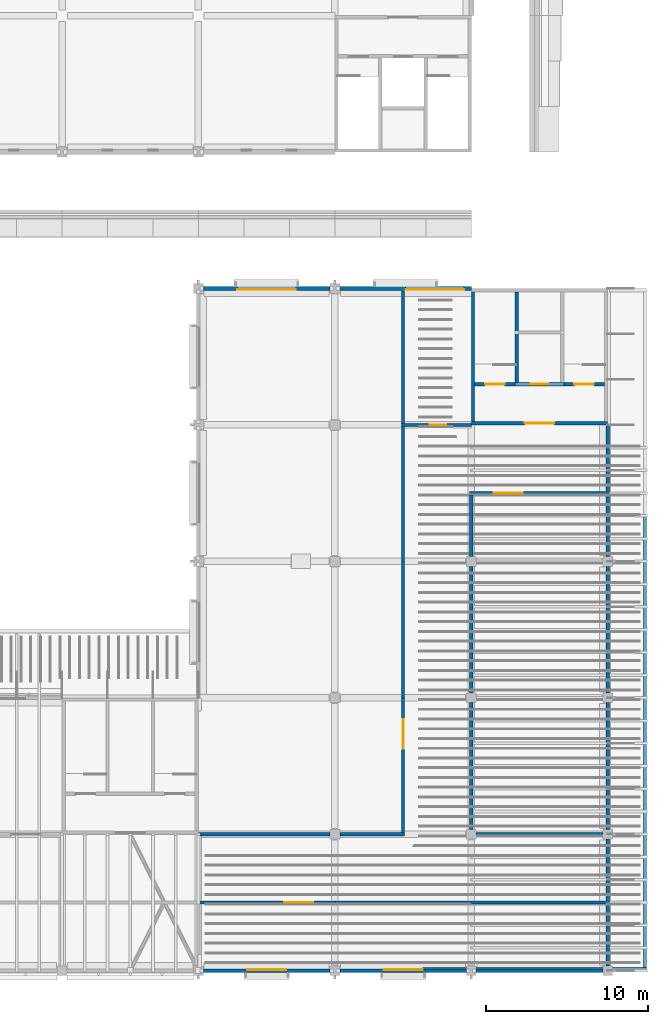
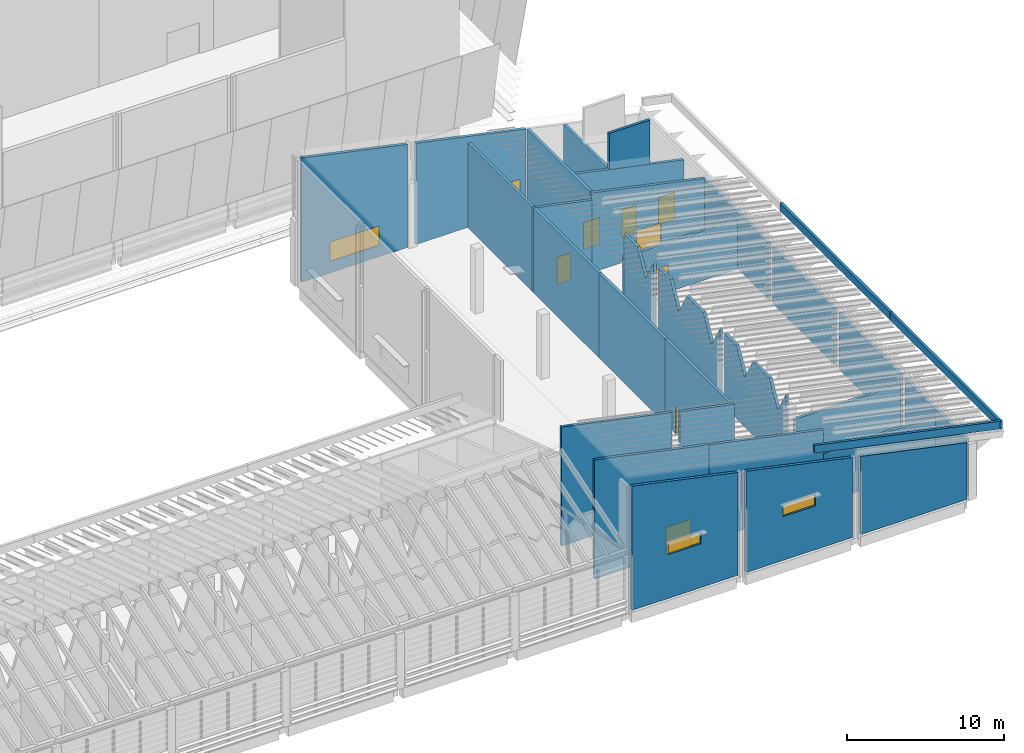
# One storey, part 25 of 59: 32 walls, 8 doors, 4 windows, 12 openings.
"""IFC4 building model written with IfcOpenShell, lengths in metres."""

from ifc_helpers import new_model, si_unit, direction, frame, frame_2d, origin, place, context, subcontext, project, spatial, polyline, rectangle, outline, extrude, material, layer, layer_set, type_object, element, fill, save


model = new_model("IFC4")

# Units and contexts
model_context = context("Model", 3, precision=1e-05, world=origin(), true_north=direction((0.0, 1.0)))
body_context = subcontext(model_context, "Body", "Model", "MODEL_VIEW")
ifc_project = project(units=[si_unit("LENGTHUNIT", "METRE"), si_unit("AREAUNIT", "SQUARE_METRE"), si_unit("VOLUMEUNIT", "CUBIC_METRE"), si_unit("PLANEANGLEUNIT", "RADIAN"), si_unit("MASSUNIT", "GRAM", prefix="KILO")], contexts=[model_context])

# Site, building, storey
site_placement = place(None, origin())
site = spatial("IfcSite", under=ifc_project, at=site_placement, CompositionType="ELEMENT")
building_placement = place(site_placement, origin())
building = spatial("IfcBuilding", under=site, at=building_placement, Name="Almond Square Museum", CompositionType="ELEMENT")
storey_placement = place(building_placement, frame((0.0, 0.0, 25.0)))
storey = spatial("IfcBuildingStorey", under=building, at=storey_placement, Name="L04", CompositionType="ELEMENT", Elevation=25.0)

# Wall
ifc_material_1 = material(Name="Concrete blockwork 200", Category="masonry")
ifc_layer_1 = layer(ifc_material_1, 0.199951171875)
ifc_layer_set_1 = layer_set([ifc_layer_1], Name="Concrete blockwork 200")
wall_type_1 = type_object("IfcWallType", Name="Fire partition 200 blockwork", PredefinedType="PARTITIONING", material=ifc_layer_set_1)
wall_1_placement = place(storey_placement, frame((144.60009765625, 33.699951171875, 0.0), z_axis=(0.0, 0.0, 1.0), x_axis=(0.0, 1.0, 0.0)))
element("IfcWall", 1, at=wall_1_placement, inside=storey, type_object=wall_type_1, Name="L04 partition 24", PredefinedType="PARTITIONING", context=body_context, shape_type="SweptSolid", body=[
    extrude(rectangle(XDim=8.150146484375, YDim=0.199951171875, at=frame_2d((4.0751953125, 0.0))), origin(), (0.0, 0.0, 1.0), 6.577880859375),
])

# Wall, opening, door
wall_2_placement = place(storey_placement, frame((144.5, 33.60009765625, 0.0), z_axis=(0.0, 0.0, 1.0), x_axis=(1.0, 0.0, 0.0)))
wall_2 = element("IfcWall", 2, at=wall_2_placement, inside=storey, type_object=wall_type_1, Name="L04 partition 25", PredefinedType="PARTITIONING", context=body_context, shape_type="SweptSolid", body=[
    extrude(outline(polyline([(0.0, 0.0), (4.300048828125, 0.0), (4.300048828125, 5.717041015625), (4.199951171875, 5.717041015625), (3.14990234375, 5.929931640625), (1.050048828125, 6.3759765625), (0.0, 6.568115234375), (0.0, 0.0)])), frame((0.0, 0.10009765625, 0.0), z_axis=(0.0, -1.0, 0.0), x_axis=(1.0, 0.0, 0.0)), (0.0, 0.0, 1.0), 0.199951171875),
])
opening_1_placement = place(wall_2_placement, frame((1.75, 0.0, 0.0)))
opening_1 = element("IfcOpeningElement", 3, at=opening_1_placement, cuts=wall_2, Name="Opening D4104", PredefinedType="OPENING", context=body_context, shape_type="SweptSolid", body=[
    extrude(rectangle(XDim=1.0, YDim=2.10009765625, at=frame_2d((0.5, 1.050048828125))), frame((0.0, 0.10986328125, 0.0), z_axis=(0.0, -1.0, 0.0), x_axis=(1.0, 0.0, 0.0)), (0.0, 0.0, 1.0), 0.219970703125),
])
ifc_material_2 = material(Name="Steel", Category="steel")
door_type_1 = type_object("IfcDoorType", Name="Fire door 1000 x 2100 FD60 single", OperationType="NOTDEFINED", PredefinedType="DOOR", material=ifc_material_2)
door_1_placement = place(opening_1_placement, origin())
door_1 = element("IfcDoor", 4, at=door_1_placement, inside=storey, type_object=door_type_1, Name="L04 door Cleaners' Store 1 to Service Corridor 1", OperationType="SINGLE_SWING_RIGHT", OverallHeight=2.10009765625, OverallWidth=1.0, PredefinedType="DOOR", context=body_context, shape_type="SweptSolid", body=[
    extrude(rectangle(XDim=1.0, YDim=2.10009765625, at=frame_2d((0.5, 1.050048828125))), frame((0.0, 0.02490234375, 0.0), z_axis=(0.0, -1.0, 0.0), x_axis=(1.0, 0.0, 0.0)), (0.0, 0.0, 1.0), 0.050048828125),
])
fill(opening_1, door_1)

wall_3_placement = place(storey_placement, frame((144.60009765625, 8.5, 0.0), z_axis=(0.0, 0.0, 1.0), x_axis=(0.0, 1.0, 0.0)))
wall_3 = element("IfcWall", 5, at=wall_3_placement, inside=storey, type_object=wall_type_1, Name="L04 partition 26", PredefinedType="PARTITIONING", context=body_context, shape_type="SweptSolid", body=[
    extrude(rectangle(XDim=8.300048828125, YDim=0.199951171875, at=frame_2d((4.14990234375, 0.0))), origin(), (0.0, 0.0, 1.0), 6.577880859375),
])
opening_2_placement = place(wall_3_placement, frame((5.175048828125, 0.0, 0.0)))
opening_2 = element("IfcOpeningElement", 6, at=opening_2_placement, cuts=wall_3, Name="Opening D4105", PredefinedType="OPENING", context=body_context, shape_type="SweptSolid", body=[
    extrude(rectangle(XDim=1.800048828125, YDim=2.10009765625, at=frame_2d((0.89990234375, 1.050048828125))), frame((0.0, 0.10986328125, 0.0), z_axis=(0.0, -1.0, 0.0), x_axis=(1.0, 0.0, 0.0)), (0.0, 0.0, 1.0), 0.219970703125),
])
ifc_material_3 = material(Name="Steel", Category="steel")
door_type_2 = type_object("IfcDoorType", Name="Fire door 1800 x 2100 FD60 double", OperationType="NOTDEFINED", PredefinedType="DOOR", material=ifc_material_3)
door_2_placement = place(opening_2_placement, origin())
door_2 = element("IfcDoor", 7, at=door_2_placement, inside=storey, type_object=door_type_2, Name="L04 door Plant Room 1 to Service Corridor 1", OperationType="DOUBLE_DOOR_SINGLE_SWING", OverallHeight=2.10009765625, OverallWidth=1.800048828125, PredefinedType="DOOR", context=body_context, shape_type="SweptSolid", body=[
    extrude(rectangle(XDim=1.800048828125, YDim=2.10009765625, at=frame_2d((0.89990234375, 1.050048828125))), frame((0.0, 0.02490234375, 0.0), z_axis=(0.0, -1.0, 0.0), x_axis=(1.0, 0.0, 0.0)), (0.0, 0.0, 1.0), 0.050048828125),
])
fill(opening_2, door_2)

# Walls
wall_4_placement = place(storey_placement, frame((144.60009765625, 16.800048828125, 0.0), z_axis=(0.0, 0.0, 1.0), x_axis=(0.0, 1.0, 0.0)))
element("IfcWall", 8, at=wall_4_placement, inside=storey, type_object=wall_type_1, Name="L04 partition 27", PredefinedType="PARTITIONING", context=body_context, shape_type="SweptSolid", body=[
    extrude(rectangle(XDim=8.39990234375, YDim=0.199951171875, at=frame_2d((4.199951171875, 0.0))), origin(), (0.0, 0.0, 1.0), 6.577880859375),
])
wall_5_placement = place(storey_placement, frame((144.60009765625, 25.199951171875, 0.0), z_axis=(0.0, 0.0, 1.0), x_axis=(0.0, 1.0, 0.0)))
element("IfcWall", 9, at=wall_5_placement, inside=storey, type_object=wall_type_1, Name="L04 partition 28", PredefinedType="PARTITIONING", context=body_context, shape_type="SweptSolid", body=[
    extrude(rectangle(XDim=8.300048828125, YDim=0.199951171875, at=frame_2d((4.14990234375, 0.0))), origin(), (0.0, 0.0, 1.0), 6.577880859375),
])
wall_6_placement = place(storey_placement, frame((132.0, 8.39990234375, 0.0), z_axis=(0.0, 0.0, 1.0), x_axis=(1.0, 0.0, 0.0)))
element("IfcWall", 10, at=wall_6_placement, inside=storey, type_object=wall_type_1, Name="L04 partition 29", PredefinedType="PARTITIONING", context=body_context, shape_type="SweptSolid", body=[
    extrude(outline(polyline([(0.0, 0.0), (8.10009765625, 0.0), (8.10009765625, 7.56689453125), (7.35009765625, 7.694091796875), (6.300048828125, 7.9169921875), (5.25, 8.14111328125), (1.050048828125, 9.032958984375), (0.0, 9.22509765625), (0.0, 0.0)])), frame((0.0, 0.10009765625, 0.0), z_axis=(0.0, -1.0, 0.0), x_axis=(1.0, 0.0, 0.0)), (0.0, 0.0, 1.0), 0.199951171875),
])
wall_7_placement = place(storey_placement, frame((140.699951171875, 8.39990234375, 0.0), z_axis=(0.0, 0.0, 1.0), x_axis=(1.0, 0.0, 0.0)))
element("IfcWall", 11, at=wall_7_placement, inside=storey, type_object=wall_type_1, Name="L04 partition 30", PredefinedType="PARTITIONING", context=body_context, shape_type="SweptSolid", body=[
    extrude(outline(polyline([(0.0, 0.0), (4.0, 0.0), (4.0, 6.589111328125), (3.14990234375, 6.738037109375), (1.050048828125, 7.18408203125), (0.0, 7.375), (0.0, 0.0)])), frame((0.0, 0.10009765625, 0.0), z_axis=(0.0, -1.0, 0.0), x_axis=(1.0, 0.0, 0.0)), (0.0, 0.0, 1.0), 0.199951171875),
])

# Wall, opening, door
wall_8_placement = place(storey_placement, frame((148.699951171875, 29.39990234375, 0.0), z_axis=(0.0, 0.0, 1.0), x_axis=(1.0, 0.0, 0.0)))
wall_8 = element("IfcWall", 12, at=wall_8_placement, inside=storey, type_object=wall_type_1, Name="L04 partition 33", PredefinedType="PARTITIONING", context=body_context, shape_type="SweptSolid", body=[
    extrude(rectangle(XDim=8.35009765625, YDim=0.199951171875, at=frame_2d((4.175048828125, 0.0))), origin(), (0.0, 0.0, 1.0), 3.842041015625),
])
opening_3_placement = place(wall_8_placement, frame((1.47509765625, 0.0, 0.0)))
opening_3 = element("IfcOpeningElement", 13, at=opening_3_placement, cuts=wall_8, Name="Opening D4107", PredefinedType="OPENING", context=body_context, shape_type="SweptSolid", body=[
    extrude(rectangle(XDim=1.800048828125, YDim=2.10009765625, at=frame_2d((0.89990234375, 1.050048828125))), frame((0.0, 0.10986328125, 0.0), z_axis=(0.0, -1.0, 0.0), x_axis=(1.0, 0.0, 0.0)), (0.0, 0.0, 1.0), 0.219970703125),
])
door_3_placement = place(opening_3_placement, origin())
door_3 = element("IfcDoor", 14, at=door_3_placement, inside=storey, type_object=door_type_2, Name="L04 door Electrical Room 2 to Service Corridor 1", OperationType="DOUBLE_DOOR_SINGLE_SWING", OverallHeight=2.10009765625, OverallWidth=1.800048828125, PredefinedType="DOOR", context=body_context, shape_type="SweptSolid", body=[
    extrude(rectangle(XDim=1.800048828125, YDim=2.10009765625, at=frame_2d((0.89990234375, 1.050048828125))), frame((0.0, 0.02490234375, 0.0), z_axis=(0.0, -1.0, 0.0), x_axis=(1.0, 0.0, 0.0)), (0.0, 0.0, 1.0), 0.050048828125),
])
fill(opening_3, door_3)

# Walls
wall_9_placement = place(storey_placement, frame((149.10009765625, 8.39990234375, 0.0), z_axis=(0.0, 0.0, 1.0), x_axis=(1.0, 0.0, 0.0)))
element("IfcWall", 15, at=wall_9_placement, inside=storey, type_object=wall_type_1, Name="L04 partition 34", PredefinedType="PARTITIONING", context=body_context, shape_type="SweptSolid", body=[
    extrude(rectangle(XDim=7.7998046875, YDim=0.199951171875, at=frame_2d((3.89990234375, 0.0))), origin(), (0.0, 0.0, 1.0), 3.842041015625),
])
wall_10_placement = place(storey_placement, frame((148.800048828125, 8.699951171875, 0.0), z_axis=(0.0, 0.0, 1.0), x_axis=(0.0, 1.0, 0.0)))
element("IfcWall", 16, at=wall_10_placement, inside=storey, type_object=wall_type_1, Name="L04 partition 35", PredefinedType="PARTITIONING", context=body_context, shape_type="SweptSolid", body=[
    extrude(outline(polyline([(0.0, 0.0), (7.800048828125, 0.0), (7.800048828125, 5.68505859375), (6.300048828125, 5.68505859375), (5.25, 3.842041015625), (4.199951171875, 5.68505859375), (2.10009765625, 5.68505859375), (1.050048828125, 3.842041015625), (0.0, 5.68505859375), (0.0, 0.0)])), frame((0.0, 0.10009765625, 0.0), z_axis=(0.0, -1.0, 0.0), x_axis=(1.0, 0.0, 0.0)), (0.0, 0.0, 1.0), 0.199951171875),
])
wall_11_placement = place(storey_placement, frame((148.800048828125, 17.10009765625, 0.0), z_axis=(0.0, 0.0, 1.0), x_axis=(0.0, 1.0, 0.0)))
element("IfcWall", 17, at=wall_11_placement, inside=storey, type_object=wall_type_1, Name="L04 partition 36", PredefinedType="PARTITIONING", context=body_context, shape_type="SweptSolid", body=[
    extrude(outline(polyline([(0.0, 0.0), (7.7998046875, 0.0), (7.800048828125, 5.68505859375), (6.300048828125, 5.68505859375), (5.25, 3.842041015625), (4.199951171875, 5.68505859375), (2.10009765625, 5.68505859375), (1.050048828125, 3.842041015625), (0.0, 5.68505859375), (0.0, 0.0)])), frame((0.0, 0.10009765625, 0.0), z_axis=(0.0, -1.0, 0.0), x_axis=(1.0, 0.0, 0.0)), (0.0, 0.0, 1.0), 0.199951171875),
])
wall_12_placement = place(storey_placement, frame((148.800048828125, 25.5, 0.0), z_axis=(0.0, 0.0, 1.0), x_axis=(0.0, 1.0, 0.0)))
element("IfcWall", 18, at=wall_12_placement, inside=storey, type_object=wall_type_1, Name="L04 partition 37", PredefinedType="PARTITIONING", context=body_context, shape_type="SweptSolid", body=[
    extrude(outline(polyline([(0.0, 0.0), (3.800048828125, 0.0), (3.800048828125, 5.68505859375), (2.10009765625, 5.68505859375), (1.050048828125, 3.842041015625), (0.0, 5.68505859375), (0.0, 0.0)])), frame((0.0, 0.10009765625, 0.0), z_axis=(0.0, -1.0, 0.0), x_axis=(1.0, 0.0, 0.0)), (0.0, 0.0, 1.0), 0.199951171875),
])

# Wall, opening, door
wall_13_placement = place(storey_placement, frame((132.0, 4.199951171875, 0.0), z_axis=(0.0, 0.0, 1.0), x_axis=(1.0, 0.0, 0.0)))
wall_13 = element("IfcWall", 19, at=wall_13_placement, inside=storey, type_object=wall_type_1, Name="L04 partition 56", PredefinedType="PARTITIONING", context=body_context, shape_type="SweptSolid", body=[
    extrude(outline(polyline([(0.0, 0.0), (8.39990234375, 0.0), (8.39990234375, 7.5029296875), (7.35009765625, 7.694091796875), (6.300048828125, 7.9169921875), (5.25, 8.14111328125), (1.050048828125, 9.032958984375), (0.0, 9.22509765625), (0.0, 0.0)])), frame((0.0, 0.10009765625, 0.0), z_axis=(0.0, -1.0, 0.0), x_axis=(1.0, 0.0, 0.0)), (0.0, 0.0, 1.0), 0.199951171875),
])
opening_4_placement = place(wall_13_placement, frame((5.27490234375, 0.0, 0.0)))
opening_4 = element("IfcOpeningElement", 20, at=opening_4_placement, cuts=wall_13, Name="Opening D4118", PredefinedType="OPENING", context=body_context, shape_type="SweptSolid", body=[
    extrude(rectangle(XDim=1.800048828125, YDim=2.10009765625, at=frame_2d((0.89990234375, 1.050048828125))), frame((0.0, 0.10986328125, 0.0), z_axis=(0.0, -1.0, 0.0), x_axis=(1.0, 0.0, 0.0)), (0.0, 0.0, 1.0), 0.219970703125),
])
door_4_placement = place(opening_4_placement, origin())
door_4 = element("IfcDoor", 21, at=door_4_placement, inside=storey, type_object=door_type_2, Name="L04 door Plant Room 3 to Service Corridor 1", OperationType="DOUBLE_DOOR_SINGLE_SWING", OverallHeight=2.10009765625, OverallWidth=1.800048828125, PredefinedType="DOOR", context=body_context, shape_type="SweptSolid", body=[
    extrude(rectangle(XDim=1.800048828125, YDim=2.10009765625, at=frame_2d((0.89990234375, 1.050048828125))), frame((0.0, 0.02490234375, 0.0), z_axis=(0.0, -1.0, 0.0), x_axis=(1.0, 0.0, 0.0)), (0.0, 0.0, 1.0), 0.050048828125),
])
fill(opening_4, door_4)

# Walls
wall_14_placement = place(storey_placement, frame((140.39990234375, 4.199951171875, 0.0), z_axis=(0.0, 0.0, 1.0), x_axis=(1.0, 0.0, 0.0)))
element("IfcWall", 22, at=wall_14_placement, inside=storey, type_object=wall_type_1, Name="L04 partition 57", PredefinedType="PARTITIONING", context=body_context, shape_type="SweptSolid", body=[
    extrude(outline(polyline([(0.0, 0.0), (8.400146484375, 0.0), (8.39990234375, 5.717041015625), (7.35009765625, 5.908935546875), (3.14990234375, 6.801025390625), (2.10009765625, 7.02490234375), (1.050048828125, 7.248046875), (0.0, 7.43896484375), (0.0, 0.0)])), frame((0.0, 0.10009765625, 0.0), z_axis=(0.0, -1.0, 0.0), x_axis=(1.0, 0.0, 0.0)), (0.0, 0.0, 1.0), 0.199951171875),
])
wall_15_placement = place(storey_placement, frame((148.800048828125, 4.199951171875, 0.0), z_axis=(0.0, 0.0, 1.0), x_axis=(1.0, 0.0, 0.0)))
element("IfcWall", 23, at=wall_15_placement, inside=storey, type_object=wall_type_1, Name="L04 partition 58", PredefinedType="PARTITIONING", context=body_context, shape_type="SweptSolid", body=[
    extrude(rectangle(XDim=8.25, YDim=0.199951171875, at=frame_2d((4.125, 0.0))), origin(), (0.0, 0.0, 1.0), 3.842041015625),
])
ifc_material_4 = material(Name="Concrete C40/50", Category="concrete")
ifc_layer_2 = layer(ifc_material_4, 0.199951171875)
ifc_layer_set_2 = layer_set([ifc_layer_2], Name="Concrete C40/50")
wall_type_2 = type_object("IfcWallType", Name="RC lift machine room wall 200 C40/50", PredefinedType="SOLIDWALL", material=ifc_layer_set_2)
wall_16_placement = place(storey_placement, frame((151.5, 36.10009765625, 4.97509765625), z_axis=(0.0, 0.0, 1.0), x_axis=(1.0, 0.0, 0.0)))
element("IfcWall", 24, at=wall_16_placement, inside=storey, type_object=wall_type_2, Name="Lift machine room X1 south wall", PredefinedType="SOLIDWALL", context=body_context, shape_type="SweptSolid", body=[
    extrude(outline(polyline([(0.0, 0.636474609375), (3.0, -0.001220703125), (3.0, 3.4375), (0.0, 3.4375), (0.0, 0.636474609375)])), frame((0.0, 0.10009765625, 0.0), z_axis=(0.0, -1.0, 0.0), x_axis=(1.0, 0.0, 0.0)), (0.0, 0.0, 1.0), 0.199951171875),
])

# Wall, opening, door
ifc_material_5 = material(Name="Concrete C40/50", Category="concrete")
ifc_layer_3 = layer(ifc_material_5, 0.199951171875)
ifc_layer_set_3 = layer_set([ifc_layer_3], Name="Concrete C40/50")
wall_type_3 = type_object("IfcWallType", Name="RC shear wall 200 C40/50", PredefinedType="SHEAR", material=ifc_layer_set_3)
wall_17_placement = place(storey_placement, frame((148.800048828125, 33.699951171875, 0.0), z_axis=(0.0, 0.0, 1.0), x_axis=(1.0, 0.0, 0.0)))
wall_17 = element("IfcWall", 25, at=wall_17_placement, inside=storey, type_object=wall_type_3, Name="Core X1 south wall L04", PredefinedType="SHEAR", context=body_context, shape_type="SweptSolid", body=[
    extrude(outline(polyline([(0.0, 0.0), (8.39990234375, 0.0), (8.39990234375, 4.39990234375), (7.800048828125, 4.528076171875), (7.5, 4.591064453125), (6.60009765625, 4.782958984375), (6.300048828125, 4.845947265625), (5.39990234375, 5.0380859375), (5.10009765625, 5.10107421875), (3.89990234375, 5.35693359375), (3.60009765625, 5.419921875), (2.699951171875, 5.612060546875), (2.39990234375, 5.675048828125), (1.5, 5.866943359375), (1.199951171875, 5.929931640625), (0.300048828125, 6.1220703125), (0.0, 6.18505859375), (0.0, 0.0)])), frame((0.0, 0.10009765625, 0.0), z_axis=(0.0, -1.0, 0.0), x_axis=(1.0, 0.0, 0.0)), (0.0, 0.0, 1.0), 0.199951171875),
])
opening_5_placement = place(wall_17_placement, frame((3.300048828125, 0.0, 0.0)))
opening_5 = element("IfcOpeningElement", 26, at=opening_5_placement, cuts=wall_17, Name="Opening D4161", PredefinedType="OPENING", context=body_context, shape_type="SweptSolid", body=[
    extrude(rectangle(XDim=1.800048828125, YDim=2.10009765625, at=frame_2d((0.89990234375, 1.050048828125))), frame((0.0, 0.10986328125, 0.0), z_axis=(0.0, -1.0, 0.0), x_axis=(1.0, 0.0, 0.0)), (0.0, 0.0, 1.0), 0.219970703125),
])
door_5_placement = place(opening_5_placement, origin())
door_5 = element("IfcDoor", 27, at=door_5_placement, inside=storey, type_object=door_type_2, Name="L04 stair core X1 lobby door", OperationType="DOUBLE_DOOR_SINGLE_SWING", OverallHeight=2.10009765625, OverallWidth=1.800048828125, PredefinedType="DOOR", context=body_context, shape_type="SweptSolid", body=[
    extrude(rectangle(XDim=1.800048828125, YDim=2.10009765625, at=frame_2d((0.89990234375, 1.050048828125))), frame((0.0, 0.02490234375, 0.0), z_axis=(0.0, -1.0, 0.0), x_axis=(1.0, 0.0, 0.0)), (0.0, 0.0, 1.0), 0.050048828125),
])
fill(opening_5, door_5)

# Wall
wall_18_placement = place(storey_placement, frame((148.89990234375, 33.800048828125, 0.0), z_axis=(0.0, 0.0, 1.0), x_axis=(0.0, 1.0, 0.0)))
element("IfcWall", 28, at=wall_18_placement, inside=storey, type_object=wall_type_3, Name="Core X1 west wall L04", PredefinedType="SHEAR", context=body_context, shape_type="SweptSolid", body=[
    extrude(rectangle(XDim=8.0, YDim=0.199951171875, at=frame_2d((4.0, 0.0))), origin(), (0.0, 0.0, 1.0), 6.1650390625),
])

# Wall, openings, doors
wall_19_placement = place(storey_placement, frame((149.0, 36.10009765625, 0.0), z_axis=(0.0, 0.0, 1.0), x_axis=(1.0, 0.0, 0.0)))
wall_19 = element("IfcWall", 29, at=wall_19_placement, inside=storey, type_object=wall_type_3, Name="Core X1 lobby wall L04", PredefinedType="SHEAR", context=body_context, shape_type="SweptSolid", body=[
    extrude(outline(polyline([(0.0, 0.0), (8.0, 0.0), (8.0, 4.443115234375), (7.70361328125, 4.5048828125), (0.0, 6.14306640625), (0.0, 0.0)])), frame((0.0, 0.10009765625, 0.0), z_axis=(0.0, -1.0, 0.0), x_axis=(1.0, 0.0, 0.0)), (0.0, 0.0, 1.0), 0.199951171875),
])
opening_6_placement = place(wall_19_placement, frame((0.64990234375, 0.0, 0.0)))
opening_6 = element("IfcOpeningElement", 30, at=opening_6_placement, cuts=wall_19, Name="Opening D4162", PredefinedType="OPENING", context=body_context, shape_type="SweptSolid", body=[
    extrude(rectangle(XDim=1.199951171875, YDim=2.10009765625, at=frame_2d((0.60009765625, 1.050048828125))), frame((0.0, 0.10986328125, 0.0), z_axis=(0.0, -1.0, 0.0), x_axis=(1.0, 0.0, 0.0)), (0.0, 0.0, 1.0), 0.219970703125),
])
opening_7_placement = place(wall_19_placement, frame((6.14990234375, 0.0, 0.0)))
opening_7 = element("IfcOpeningElement", 31, at=opening_7_placement, cuts=wall_19, Name="Opening D4163", PredefinedType="OPENING", context=body_context, shape_type="SweptSolid", body=[
    extrude(rectangle(XDim=1.199951171875, YDim=2.10009765625, at=frame_2d((0.60009765625, 1.050048828125))), frame((0.0, 0.10986328125, 0.0), z_axis=(0.0, -1.0, 0.0), x_axis=(1.0, 0.0, 0.0)), (0.0, 0.0, 1.0), 0.219970703125),
])
opening_8_placement = place(wall_19_placement, frame((3.449951171875, 0.0, 0.0)))
opening_8 = element("IfcOpeningElement", 32, at=opening_8_placement, cuts=wall_19, Name="Opening D4164", PredefinedType="OPENING", context=body_context, shape_type="SweptSolid", body=[
    extrude(rectangle(XDim=1.10009765625, YDim=2.10009765625, at=frame_2d((0.550048828125, 1.050048828125))), frame((0.0, 0.10986328125, 0.0), z_axis=(0.0, -1.0, 0.0), x_axis=(1.0, 0.0, 0.0)), (0.0, 0.0, 1.0), 0.219970703125),
])
ifc_material_6 = material(Name="Steel", Category="steel")
door_type_3 = type_object("IfcDoorType", Name="Fire door 1200 x 2100 FD120 stair", OperationType="NOTDEFINED", PredefinedType="DOOR", material=ifc_material_6)
door_6_placement = place(opening_6_placement, origin())
door_6 = element("IfcDoor", 33, at=door_6_placement, inside=storey, type_object=door_type_3, Name="L04 stair X1-1 door", OperationType="SINGLE_SWING_LEFT", OverallHeight=2.10009765625, OverallWidth=1.199951171875, PredefinedType="DOOR", context=body_context, shape_type="SweptSolid", body=[
    extrude(rectangle(XDim=1.199951171875, YDim=2.10009765625, at=frame_2d((0.60009765625, 1.050048828125))), frame((0.0, 0.02490234375, 0.0), z_axis=(0.0, -1.0, 0.0), x_axis=(1.0, 0.0, 0.0)), (0.0, 0.0, 1.0), 0.050048828125),
])
fill(opening_6, door_6)
door_7_placement = place(opening_7_placement, origin())
door_7 = element("IfcDoor", 34, at=door_7_placement, inside=storey, type_object=door_type_3, Name="L04 stair X1-2 door", OperationType="SINGLE_SWING_RIGHT", OverallHeight=2.10009765625, OverallWidth=1.199951171875, PredefinedType="DOOR", context=body_context, shape_type="SweptSolid", body=[
    extrude(rectangle(XDim=1.199951171875, YDim=2.10009765625, at=frame_2d((0.60009765625, 1.050048828125))), frame((0.0, 0.02490234375, 0.0), z_axis=(0.0, -1.0, 0.0), x_axis=(1.0, 0.0, 0.0)), (0.0, 0.0, 1.0), 0.050048828125),
])
fill(opening_7, door_7)
ifc_material_7 = material(Name="Stainless steel", Category="steel")
door_type_4 = type_object("IfcDoorType", Name="Lift landing door 1100 x 2100", OperationType="NOTDEFINED", PredefinedType="DOOR", material=ifc_material_7)
door_8_placement = place(opening_8_placement, origin())
door_8 = element("IfcDoor", 35, at=door_8_placement, inside=storey, type_object=door_type_4, Name="L04 lift PL-X1 landing door", OperationType="DOUBLE_DOOR_SLIDING", OverallHeight=2.10009765625, OverallWidth=1.10009765625, PredefinedType="DOOR", context=body_context, shape_type="SweptSolid", body=[
    extrude(rectangle(XDim=1.10009765625, YDim=2.10009765625, at=frame_2d((0.550048828125, 1.050048828125))), frame((0.0, 0.02490234375, 0.0), z_axis=(0.0, -1.0, 0.0), x_axis=(1.0, 0.0, 0.0)), (0.0, 0.0, 1.0), 0.050048828125),
])
fill(opening_8, door_8)

# Walls
wall_20_placement = place(storey_placement, frame((151.60009765625, 36.199951171875, 0.0), z_axis=(0.0, 0.0, 1.0), x_axis=(0.0, 1.0, 0.0)))
element("IfcWall", 36, at=wall_20_placement, inside=storey, type_object=wall_type_3, Name="Core X1 partition wall L04", PredefinedType="SHEAR", context=body_context, shape_type="SweptSolid", body=[
    extrude(rectangle(XDim=5.60009765625, YDim=0.199951171875, at=frame_2d((2.800048828125, 0.0))), origin(), (0.0, 0.0, 1.0), 5.590087890625),
])
ifc_material_8 = material(Name="Concrete C30/37", Category="concrete")
ifc_layer_4 = layer(ifc_material_8, 0.199951171875)
ifc_layer_set_4 = layer_set([ifc_layer_4], Name="Concrete C30/37")
wall_type_4 = type_object("IfcWallType", Name="Roof parapet 200", PredefinedType="PARAPET", material=ifc_layer_set_4)
for number, where, z_axis, x_axis, name in (
    (37, (159.5, 14.0, 4.506103515625), (0.0, 0.0, 1.0), (0.0, 1.0, 0.0), "Roof parapet 16"),
    (38, (159.5, 0.0, 4.506103515625), (0.0, 0.0, 1.0), (0.0, 1.0, 0.0), "Roof parapet 17"),
):
    element("IfcWall", number, at=place(storey_placement, frame(where, z_axis=z_axis, x_axis=x_axis)), inside=storey, type_object=wall_type_4, Name=name, PredefinedType="PARAPET", context=body_context, shape_type="SweptSolid", body=[
        extrude(rectangle(XDim=14.0, YDim=0.199951171875, at=frame_2d((7.0, 0.0))), origin(), (0.0, 0.0, 1.0), 0.60498046875),
    ])
wall_21_placement = place(storey_placement, frame((145.800048828125, 0.10009765625, 4.4853515625), z_axis=(0.0, 0.0, 1.0), x_axis=(1.0, 0.0, 0.0)))
element("IfcWall", 39, at=wall_21_placement, inside=storey, type_object=wall_type_4, Name="Roof parapet 18", PredefinedType="PARAPET", context=body_context, shape_type="SweptSolid", body=[
    extrude(outline(polyline([(0.0, 2.932373046875), (13.800048828125, 0.0), (13.800048828125, 0.60498046875), (0.0, 3.537353515625), (0.0, 2.932373046875)])), frame((0.0, 0.10009765625, 0.0), z_axis=(0.0, -1.0, 0.0), x_axis=(1.0, 0.0, 0.0)), (0.0, 0.0, 1.0), 0.199951171875),
])

# Wall, opening, window
ifc_material_9 = material(Name="Concrete C30/37", Category="concrete")
ifc_layer_5 = layer(ifc_material_9, 0.219970703125)
ifc_layer_set_5 = layer_set([ifc_layer_5], Name="Concrete C30/37")
wall_type_5 = type_object("IfcWallType", Name="Stucco panel wall 220 with insulation", PredefinedType="SOLIDWALL", material=ifc_layer_set_5)
wall_22_placement = place(storey_placement, frame((132.300048828125, 0.0, 0.0), z_axis=(0.0, 0.0, 1.0), x_axis=(1.0, 0.0, 0.0)))
wall_22 = element("IfcWall", 40, at=wall_22_placement, inside=storey, type_object=wall_type_5, Name="External wall W4 V5E L04 S01", PredefinedType="SOLIDWALL", context=body_context, shape_type="SweptSolid", body=[
    extrude(outline(polyline([(0.0, 0.0), (7.800048828125, 0.0), (7.800048828125, 7.987548828125), (0.0, 9.6455078125), (0.0, 0.0)])), frame((0.0, 0.10986328125, 0.0), z_axis=(0.0, -1.0, 0.0), x_axis=(1.0, 0.0, 0.0)), (0.0, 0.0, 1.0), 0.219970703125),
])
opening_9_placement = place(wall_22_placement, frame((2.699951171875, 0.0, 3.39990234375)))
opening_9 = element("IfcOpeningElement", 41, at=opening_9_placement, cuts=wall_22, Name="Opening W4001", PredefinedType="OPENING", context=body_context, shape_type="SweptSolid", body=[
    extrude(rectangle(XDim=2.39990234375, YDim=0.89990234375, at=frame_2d((1.199951171875, 0.449951171875))), frame((0.0, 0.119873046875, 0.0), z_axis=(0.0, -1.0, 0.0), x_axis=(1.0, 0.0, 0.0)), (0.0, 0.0, 1.0), 0.239990234375),
])
ifc_material_10 = material(Name="Aluminium frame and laminated glass", Category="aluminium")
window_type_1 = type_object("IfcWindowType", Name="Laboratory clerestory window", PartitioningType="SINGLE_PANEL", PredefinedType="WINDOW", material=ifc_material_10)
window_1_placement = place(opening_9_placement, origin())
window_1 = element("IfcWindow", 42, at=window_1_placement, inside=storey, type_object=window_type_1, Name="Laboratory clerestory window W4001", OverallHeight=0.89990234375, OverallWidth=2.39990234375, PartitioningType="SINGLE_PANEL", PredefinedType="WINDOW", context=body_context, shape_type="SweptSolid", body=[
    extrude(rectangle(XDim=2.39990234375, YDim=0.89990234375, at=frame_2d((1.199951171875, 0.449951171875))), frame((0.0, 0.090087890625, 0.0), z_axis=(0.0, -1.0, 0.0), x_axis=(1.0, 0.0, 0.0)), (0.0, 0.0, 1.0), 0.06005859375),
])
fill(opening_9, window_1)

wall_23_placement = place(storey_placement, frame((140.699951171875, 0.0, 0.0), z_axis=(0.0, 0.0, 1.0), x_axis=(1.0, 0.0, 0.0)))
wall_23 = element("IfcWall", 43, at=wall_23_placement, inside=storey, type_object=wall_type_5, Name="External wall W4 V5E L04 S02", PredefinedType="SOLIDWALL", context=body_context, shape_type="SweptSolid", body=[
    extrude(outline(polyline([(0.0, 0.0), (7.800048828125, 0.0), (7.800048828125, 6.2021484375), (0.0, 7.860107421875), (0.0, 0.0)])), frame((0.0, 0.10986328125, 0.0), z_axis=(0.0, -1.0, 0.0), x_axis=(1.0, 0.0, 0.0)), (0.0, 0.0, 1.0), 0.219970703125),
])
opening_10_placement = place(wall_23_placement, frame((2.699951171875, 0.0, 3.39990234375)))
opening_10 = element("IfcOpeningElement", 44, at=opening_10_placement, cuts=wall_23, Name="Opening W4002", PredefinedType="OPENING", context=body_context, shape_type="SweptSolid", body=[
    extrude(rectangle(XDim=2.39990234375, YDim=0.89990234375, at=frame_2d((1.199951171875, 0.449951171875))), frame((0.0, 0.119873046875, 0.0), z_axis=(0.0, -1.0, 0.0), x_axis=(1.0, 0.0, 0.0)), (0.0, 0.0, 1.0), 0.239990234375),
])
window_2_placement = place(opening_10_placement, origin())
window_2 = element("IfcWindow", 45, at=window_2_placement, inside=storey, type_object=window_type_1, Name="Laboratory clerestory window W4002", OverallHeight=0.89990234375, OverallWidth=2.39990234375, PartitioningType="SINGLE_PANEL", PredefinedType="WINDOW", context=body_context, shape_type="SweptSolid", body=[
    extrude(rectangle(XDim=2.39990234375, YDim=0.89990234375, at=frame_2d((1.199951171875, 0.449951171875))), frame((0.0, 0.090087890625, 0.0), z_axis=(0.0, -1.0, 0.0), x_axis=(1.0, 0.0, 0.0)), (0.0, 0.0, 1.0), 0.06005859375),
])
fill(opening_10, window_2)

# Walls
wall_24_placement = place(storey_placement, frame((149.10009765625, 0.0, 0.0), z_axis=(0.0, 0.0, 1.0), x_axis=(1.0, 0.0, 0.0)))
element("IfcWall", 46, at=wall_24_placement, inside=storey, type_object=wall_type_5, Name="External wall W4 V5E L04 S03", PredefinedType="SOLIDWALL", context=body_context, shape_type="SweptSolid", body=[
    extrude(outline(polyline([(0.0, 0.0), (7.7998046875, 0.0), (7.800048828125, 4.41650390625), (0.0, 6.07470703125), (0.0, 0.0)])), frame((0.0, 0.10986328125, 0.0), z_axis=(0.0, -1.0, 0.0), x_axis=(1.0, 0.0, 0.0)), (0.0, 0.0, 1.0), 0.219970703125),
])
for number, where, z_axis, x_axis, name in (
    (47, (157.199951171875, 0.300048828125, 0.0), (0.0, 0.0, 1.0), (0.0, 1.0, 0.0), "External wall W4 V5E L04 E01"),
    (48, (157.199951171875, 8.699951171875, 0.0), (0.0, 0.0, 1.0), (0.0, 1.0, 0.0), "External wall W4 V5E L04 E02"),
):
    element("IfcWall", number, at=place(storey_placement, frame(where, z_axis=z_axis, x_axis=x_axis)), inside=storey, type_object=wall_type_5, Name=name, PredefinedType="SOLIDWALL", context=body_context, shape_type="SweptSolid", body=[
        extrude(rectangle(XDim=7.800048828125, YDim=0.219970703125, at=frame_2d((3.89990234375, 0.0))), origin(), (0.0, 0.0, 1.0), 4.352783203125),
    ])
wall_25_placement = place(storey_placement, frame((157.199951171875, 17.10009765625, 0.0), z_axis=(0.0, 0.0, 1.0), x_axis=(0.0, 1.0, 0.0)))
element("IfcWall", 49, at=wall_25_placement, inside=storey, type_object=wall_type_5, Name="External wall W4 V5E L04 E03", PredefinedType="SOLIDWALL", context=body_context, shape_type="SweptSolid", body=[
    extrude(rectangle(XDim=7.7998046875, YDim=0.219970703125, at=frame_2d((3.89990234375, 0.0))), origin(), (0.0, 0.0, 1.0), 4.352783203125),
])
wall_26_placement = place(storey_placement, frame((157.199951171875, 25.5, 0.0), z_axis=(0.0, 0.0, 1.0), x_axis=(0.0, 1.0, 0.0)))
element("IfcWall", 50, at=wall_26_placement, inside=storey, type_object=wall_type_5, Name="External wall W4 V5E L04 E04", PredefinedType="SOLIDWALL", context=body_context, shape_type="SweptSolid", body=[
    extrude(rectangle(XDim=8.10009765625, YDim=0.219970703125, at=frame_2d((4.050048828125, 0.0))), origin(), (0.0, 0.0, 1.0), 4.352783203125),
])

# Wall, opening, window
wall_27_placement = place(storey_placement, frame((140.699951171875, 42.0, 0.0), z_axis=(0.0, 0.0, 1.0), x_axis=(1.0, 0.0, 0.0)))
wall_27 = element("IfcWall", 51, at=wall_27_placement, inside=storey, type_object=wall_type_5, Name="External wall W4 V5E L04 N01", PredefinedType="SOLIDWALL", context=body_context, shape_type="SweptSolid", body=[
    extrude(outline(polyline([(0.0, 0.0), (8.10009765625, 0.0), (8.10009765625, 6.13818359375), (0.0, 7.860107421875), (0.0, 0.0)])), frame((0.0, 0.10986328125, 0.0), z_axis=(0.0, -1.0, 0.0), x_axis=(1.0, 0.0, 0.0)), (0.0, 0.0, 1.0), 0.219970703125),
])
opening_11_placement = place(wall_27_placement, frame((4.050048828125, 0.0, 0.89990234375)))
opening_11 = element("IfcOpeningElement", 52, at=opening_11_placement, cuts=wall_27, Name="Opening W4003", PredefinedType="OPENING", context=body_context, shape_type="SweptSolid", body=[
    extrude(rectangle(XDim=3.60009765625, YDim=1.5, at=frame_2d((1.800048828125, 0.75))), frame((0.0, 0.119873046875, 0.0), z_axis=(0.0, -1.0, 0.0), x_axis=(1.0, 0.0, 0.0)), (0.0, 0.0, 1.0), 0.239990234375),
])
ifc_material_11 = material(Name="Aluminium frame and laminated glass", Category="aluminium")
window_type_2 = type_object("IfcWindowType", Name="Office ribbon window", PartitioningType="SINGLE_PANEL", PredefinedType="WINDOW", material=ifc_material_11)
window_3_placement = place(opening_11_placement, origin())
window_3 = element("IfcWindow", 53, at=window_3_placement, inside=storey, type_object=window_type_2, Name="Office ribbon window W4003", OverallHeight=1.5, OverallWidth=3.60009765625, PartitioningType="DOUBLE_PANEL_VERTICAL", PredefinedType="WINDOW", context=body_context, shape_type="SweptSolid", body=[
    extrude(rectangle(XDim=3.60009765625, YDim=1.5, at=frame_2d((1.800048828125, 0.75))), frame((0.0, -0.030029296875, 0.0), z_axis=(0.0, -1.0, 0.0), x_axis=(1.0, 0.0, 0.0)), (0.0, 0.0, 1.0), 0.06005859375),
])
fill(opening_11, window_3)

wall_28_placement = place(storey_placement, frame((132.300048828125, 42.0, 0.0), z_axis=(0.0, 0.0, 1.0), x_axis=(1.0, 0.0, 0.0)))
wall_28 = element("IfcWall", 54, at=wall_28_placement, inside=storey, type_object=wall_type_5, Name="External wall W4 V5E L04 N02", PredefinedType="SOLIDWALL", context=body_context, shape_type="SweptSolid", body=[
    extrude(outline(polyline([(0.0, 0.0), (7.800048828125, 0.0), (7.800048828125, 7.987548828125), (0.0, 9.6455078125), (0.0, 0.0)])), frame((0.0, 0.10986328125, 0.0), z_axis=(0.0, -1.0, 0.0), x_axis=(1.0, 0.0, 0.0)), (0.0, 0.0, 1.0), 0.219970703125),
])
opening_12_placement = place(wall_28_placement, frame((2.10009765625, 0.0, 0.89990234375)))
opening_12 = element("IfcOpeningElement", 55, at=opening_12_placement, cuts=wall_28, Name="Opening W4004", PredefinedType="OPENING", context=body_context, shape_type="SweptSolid", body=[
    extrude(rectangle(XDim=3.60009765625, YDim=1.5, at=frame_2d((1.800048828125, 0.75))), frame((0.0, 0.119873046875, 0.0), z_axis=(0.0, -1.0, 0.0), x_axis=(1.0, 0.0, 0.0)), (0.0, 0.0, 1.0), 0.239990234375),
])
window_4_placement = place(opening_12_placement, origin())
window_4 = element("IfcWindow", 56, at=window_4_placement, inside=storey, type_object=window_type_2, Name="Office ribbon window W4004", OverallHeight=1.5, OverallWidth=3.60009765625, PartitioningType="DOUBLE_PANEL_VERTICAL", PredefinedType="WINDOW", context=body_context, shape_type="SweptSolid", body=[
    extrude(rectangle(XDim=3.60009765625, YDim=1.5, at=frame_2d((1.800048828125, 0.75))), frame((0.0, -0.030029296875, 0.0), z_axis=(0.0, -1.0, 0.0), x_axis=(1.0, 0.0, 0.0)), (0.0, 0.0, 1.0), 0.06005859375),
])
fill(opening_12, window_4)

save(model, "model.ifc")
